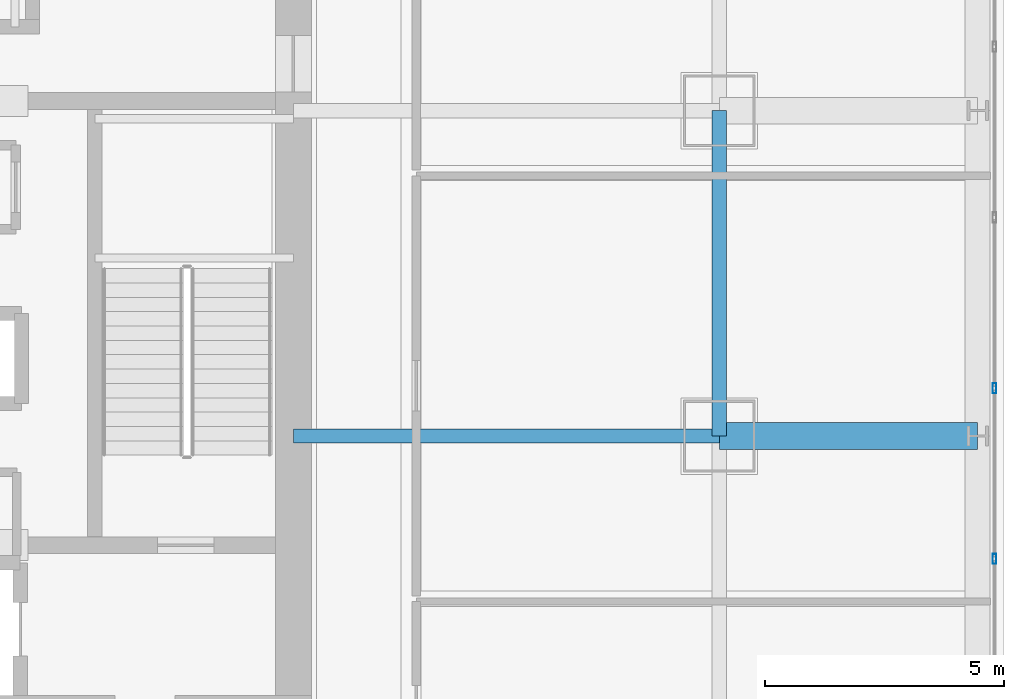
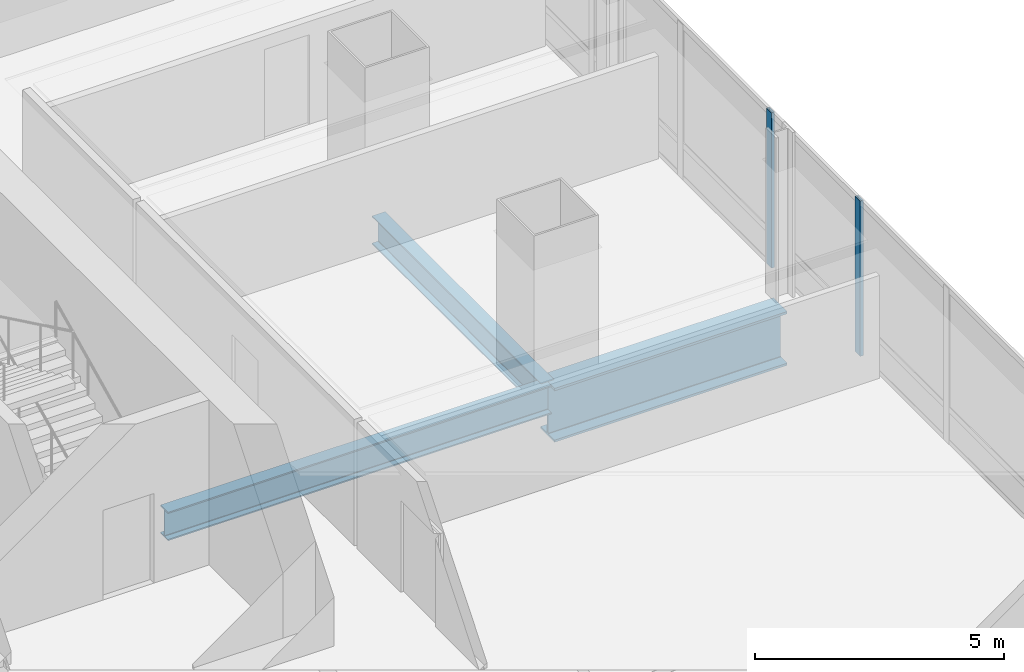
# One storey, part 15 of 35: 3 beams, 2 members, 1 element without a shape of its own.
"""IFC4 building model written with IfcOpenShell, lengths in metres."""

from ifc_helpers import new_model, si_unit, direction, frame, origin, origin_2d, place, context, subcontext, project, spatial, hollow_rectangle, i_section, extrude, material, material_profile, profile_set, type_object, element, aggregate, save


model = new_model("IFC4")

# Units and contexts
model_context = context("Model", 3, precision=1e-05, world=origin(), true_north=direction((0.0, 1.0)))
body_context = subcontext(model_context, "Body", "Model", "MODEL_VIEW")
ifc_project = project(units=[si_unit("LENGTHUNIT", "METRE"), si_unit("AREAUNIT", "SQUARE_METRE"), si_unit("VOLUMEUNIT", "CUBIC_METRE"), si_unit("PLANEANGLEUNIT", "RADIAN"), si_unit("MASSUNIT", "GRAM", prefix="KILO")], contexts=[model_context])

# Site, building, storey
site_placement = place(None, origin())
site = spatial("IfcSite", under=ifc_project, at=site_placement, CompositionType="ELEMENT")
building_placement = place(site_placement, origin())
building = spatial("IfcBuilding", under=site, at=building_placement, Name="Punatoya Terracotta Tower", CompositionType="ELEMENT")
storey_placement = place(building_placement, frame((0.0, 0.0, 64.64990234375)))
storey = spatial("IfcBuildingStorey", under=building, at=storey_placement, Name="L14", CompositionType="ELEMENT", Elevation=64.64990234375)

# Beams
ifc_material_1 = material(Name="Steel S355", Category="steel")
ifc_material_profile_1 = material_profile(ifc_material_1, i_section(OverallWidth=0.300048828125, OverallDepth=0.699951171875, WebThickness=0.01708984375, FlangeThickness=0.031982421875, FilletRadius=0.01806640625, at=origin_2d()))
ifc_profile_set_1 = profile_set([ifc_material_profile_1], Name="Steel S355")
beam_type_1 = type_object("IfcBeamType", Name="BM-PRI-700", PredefinedType="BEAM", material=ifc_profile_set_1)
beam_1_placement = place(storey_placement, frame((19.10009765625, -3.39990234375, -0.58984375), z_axis=(0.0, 1.0, 0.0), x_axis=(-1.0, 0.0, 0.0)))
element("IfcBeam", 1, at=beam_1_placement, inside=storey, type_object=beam_type_1, Name="BM-L14-RG-E2", PredefinedType="BEAM", context=body_context, shape_type="SweptSolid", body=[
    extrude(i_section(OverallWidth=0.300048828125, OverallDepth=0.699951171875, WebThickness=0.01708984375, FlangeThickness=0.031982421875, FilletRadius=0.01806640625, at=origin_2d()), origin(), (0.0, 0.0, 1.0), 6.7998046875),
])
beam_2_placement = place(storey_placement, frame((10.199951171875, -3.39990234375, -0.58984375), z_axis=(1.0, 0.0, 0.0), x_axis=(0.0, 1.0, 0.0)))
element("IfcBeam", 2, at=beam_2_placement, inside=storey, type_object=beam_type_1, Name="BM-L14-PR-ED", PredefinedType="BEAM", context=body_context, shape_type="SweptSolid", body=[
    extrude(i_section(OverallWidth=0.300048828125, OverallDepth=0.699951171875, WebThickness=0.01708984375, FlangeThickness=0.031982421875, FilletRadius=0.01806640625, at=origin_2d()), origin(), (0.0, 0.0, 1.0), 8.900146484375),
])
ifc_material_2 = material(Name="Steel S460", Category="steel")
ifc_material_profile_2 = material_profile(ifc_material_2, i_section(OverallWidth=0.56005859375, OverallDepth=1.320068359375, WebThickness=0.035888671875, FlangeThickness=0.054931640625, FilletRadius=0.01806640625, at=origin_2d()))
ifc_profile_set_2 = profile_set([ifc_material_profile_2], Name="Steel S460")
beam_type_2 = type_object("IfcBeamType", Name="BM-TG-BLK", PredefinedType="BEAM", material=ifc_profile_set_2)
beam_3_placement = place(storey_placement, frame((19.10009765625, -3.39990234375, -0.89990234375), z_axis=(1.0, 0.0, 0.0), x_axis=(0.0, 1.0, 0.0)))
element("IfcBeam", 3, at=beam_3_placement, inside=storey, type_object=beam_type_2, Name="BM-L14-CANT-E2", PredefinedType="BEAM", context=body_context, shape_type="SweptSolid", body=[
    extrude(i_section(OverallWidth=0.56005859375, OverallDepth=1.320068359375, WebThickness=0.035888671875, FlangeThickness=0.054931640625, FilletRadius=0.01806640625, at=origin_2d()), origin(), (0.0, 0.0, 1.0), 5.39990234375),
])

# Curtain wall, members
ifc_material_3 = material(Name="Aluminium 6063-T6 + Double Low-E Glass", Category="aluminium")
curtain_wall_type = type_object("IfcCurtainWallType", Name="CW-M1", PredefinedType="NOTDEFINED", material=ifc_material_3)
curtain_wall_placement = place(storey_placement, origin())
curtain_wall = element("IfcCurtainWall", 4, at=curtain_wall_placement, inside=storey, type_object=curtain_wall_type, Name="L14 Curtain Wall CW-L14-E05-1", PredefinedType="NOTDEFINED")
ifc_material_4 = material(Name="Aluminium 6063-T6", Category="aluminium")
ifc_material_profile_3 = material_profile(ifc_material_4, hollow_rectangle(XDim=0.074951171875, YDim=0.2099609375, WallThickness=0.00439453125, at=origin_2d()))
ifc_profile_set_3 = profile_set([ifc_material_profile_3], Name="Aluminium 6063-T6")
member_type = type_object("IfcMemberType", Name="CW-MUL-M1", PredefinedType="MULLION", material=ifc_profile_set_3)
member_1_placement = place(storey_placement, frame((24.85009765625, -5.96728515625, 0.0), z_axis=(0.0, 0.0, 1.0), x_axis=(1.0, 0.0, 0.0)))
member_1 = element("IfcMember", 5, at=member_1_placement, type_object=member_type, Name="CW-L14-E05-1 Mullion 04", PredefinedType="MULLION", context=body_context, shape_type="SweptSolid", body=[
    extrude(hollow_rectangle(XDim=0.074951171875, YDim=0.2099609375, WallThickness=0.00439453125, at=origin_2d()), origin(), (0.0, 0.0, 1.0), 3.81005859375),
])
member_2_placement = place(storey_placement, frame((24.85009765625, -2.39990234375, 0.0), z_axis=(0.0, 0.0, 1.0), x_axis=(1.0, 0.0, 0.0)))
member_2 = element("IfcMember", 6, at=member_2_placement, type_object=member_type, Name="CW-L14-E05-1 Mullion 05", PredefinedType="MULLION", context=body_context, shape_type="SweptSolid", body=[
    extrude(hollow_rectangle(XDim=0.074951171875, YDim=0.2099609375, WallThickness=0.00439453125, at=origin_2d()), origin(), (0.0, 0.0, 1.0), 3.81005859375),
])
aggregate(curtain_wall, [member_1, member_2])

save(model, "model.ifc")
